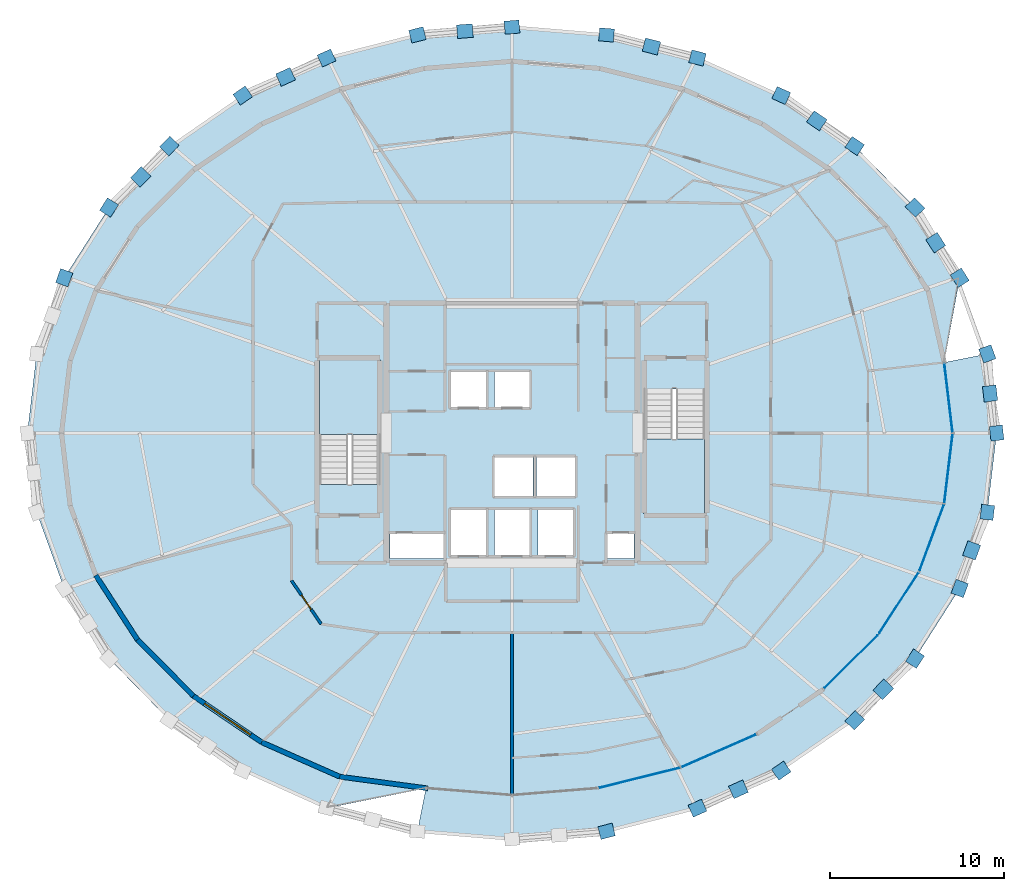
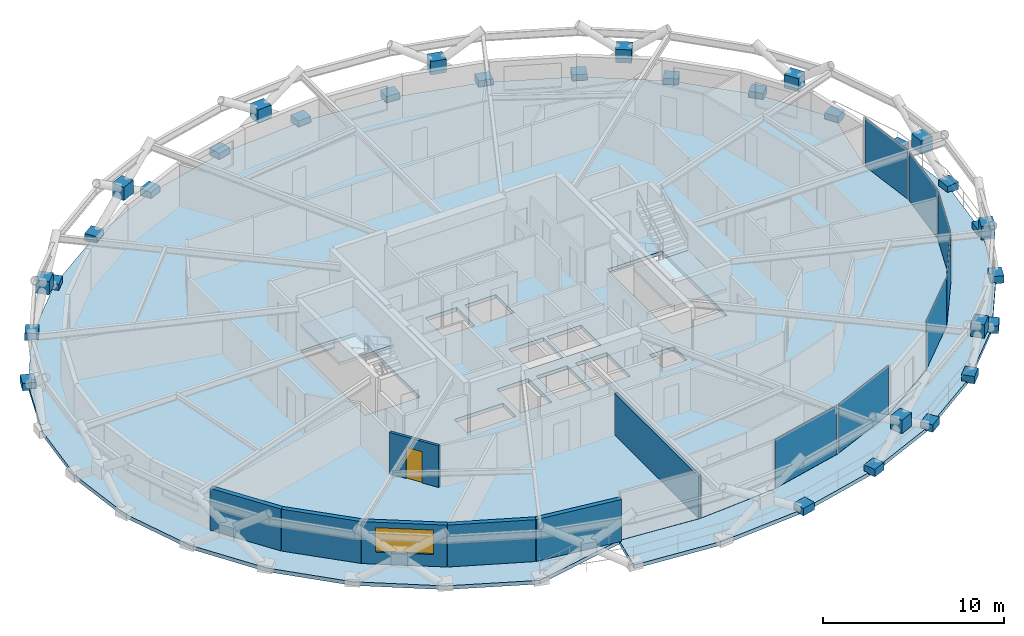
# One storey, part 12 of 17: 39 plates, 7 walls, 4 slabs, 1 door, 1 window, 2 openings, 4 elements without a shape of their own.
"""IFC4 building model written with IfcOpenShell, lengths in metres."""

from ifc_helpers import new_model, si_unit, direction, frame, frame_2d, origin, origin_2d, place, context, subcontext, project, spatial, polyline, rectangle, outline, extrude, material, layer, layer_set, type_object, element, fill, aggregate, save


model = new_model("IFC4")

# Units and contexts
model_context = context("Model", 3, precision=1e-05, world=origin(), true_north=direction((0.0, 1.0)))
body_context = subcontext(model_context, "Body", "Model", "MODEL_VIEW")
ifc_project = project(units=[si_unit("LENGTHUNIT", "METRE"), si_unit("AREAUNIT", "SQUARE_METRE"), si_unit("VOLUMEUNIT", "CUBIC_METRE"), si_unit("PLANEANGLEUNIT", "RADIAN"), si_unit("MASSUNIT", "GRAM", prefix="KILO")], contexts=[model_context])

# Site, building, storey
site_placement = place(None, origin())
site = spatial("IfcSite", under=ifc_project, at=site_placement, CompositionType="ELEMENT")
building_placement = place(site_placement, origin())
building = spatial("IfcBuilding", under=site, at=building_placement, Name="Veldorina Hangang Commons", CompositionType="ELEMENT")
storey_placement = place(building_placement, frame((0.0, 0.0, 178.39990234375)))
storey = spatial("IfcBuildingStorey", under=building, at=storey_placement, Name="L46", CompositionType="ELEMENT", Elevation=178.39990234375)

# Curtain wall, plates
ifc_material_1 = material(Name="Glass Low-E Triple IGU", Category="glass")
ifc_layer_1 = layer(ifc_material_1, 0.179931640625)
ifc_layer_set_1 = layer_set([ifc_layer_1], Name="Glass Low-E Triple IGU")
curtain_wall_type = type_object("IfcCurtainWallType", Name="CW-SYS-Z2", PredefinedType="NOTDEFINED", material=ifc_layer_set_1)
curtain_wall_1_placement = place(storey_placement, origin())
curtain_wall_1 = element("IfcCurtainWall", 1, at=curtain_wall_1_placement, inside=storey, type_object=curtain_wall_type, Name="L46 unitised curtain wall CW-L46-R1", PredefinedType="NOTDEFINED")
ifc_layer_2 = layer(ifc_material_1, 0.0400390625)
ifc_layer_set_2 = layer_set([ifc_layer_2], Name="Glass Low-E Triple IGU")
plate_type_1 = type_object("IfcPlateType", Name="CW-PNL-VIS", PredefinedType="CURTAIN_PANEL", material=ifc_layer_set_2)
plate_1_placement = place(storey_placement, frame((39.302978515625, 4.221923828125, 0.01513671875), z_axis=(0.0, 0.0, 1.0), x_axis=(0.970316834249, 0.241837220403, 0.0)))
plate_1 = element("IfcPlate", 2, at=plate_1_placement, type_object=plate_type_1, Name="CW-L46-R1 facet 3 glazed vision panel", PredefinedType="CURTAIN_PANEL", context=body_context, shape_type="SweptSolid", body=[
    extrude(rectangle(XDim=4.707275390625, YDim=0.0400390625, at=origin_2d()), origin(), (0.0, 0.0, 1.0), 3.280029296875),
])
plate_2_placement = place(storey_placement, frame((43.859375, 5.7724609375, 0.01513671875), z_axis=(0.0, 0.0, 1.0), x_axis=(0.915620496446, 0.402043662414, 0.0)))
plate_2 = element("IfcPlate", 3, at=plate_2_placement, type_object=plate_type_1, Name="CW-L46-R1 facet 4 glazed vision panel", PredefinedType="CURTAIN_PANEL", context=body_context, shape_type="SweptSolid", body=[
    extrude(rectangle(XDim=4.59326171875, YDim=0.0400390625, at=origin_2d()), origin(), (0.0, 0.0, 1.0), 3.280029296875),
])
aggregate(curtain_wall_1, [plate_1, plate_2])

curtain_wall_2_placement = place(storey_placement, origin())
curtain_wall_2 = element("IfcCurtainWall", 4, at=curtain_wall_2_placement, inside=storey, type_object=curtain_wall_type, Name="L46 unitised curtain wall CW-L46-R2", PredefinedType="NOTDEFINED")
plate_3_placement = place(storey_placement, frame((51.447265625, 10.888427734375, 0.01513671875), z_axis=(0.0, 0.0, 1.0), x_axis=(0.70673644403, 0.707476924486, 0.0)))
plate_3 = element("IfcPlate", 5, at=plate_3_placement, type_object=plate_type_1, Name="CW-L46-R2 facet 1 glazed vision panel", PredefinedType="CURTAIN_PANEL", context=body_context, shape_type="SweptSolid", body=[
    extrude(rectangle(XDim=4.268310546875, YDim=0.0400390625, at=origin_2d()), origin(), (0.0, 0.0, 1.0), 3.280029296875),
])
plate_4_placement = place(storey_placement, frame((54.187255859375, 14.257080078125, 0.01513671875), z_axis=(0.0, 0.0, 1.0), x_axis=(0.545356076332, 0.838204479831, 0.0)))
plate_4 = element("IfcPlate", 6, at=plate_4_placement, type_object=plate_type_1, Name="CW-L46-R2 facet 2 glazed vision panel", PredefinedType="CURTAIN_PANEL", context=body_context, shape_type="SweptSolid", body=[
    extrude(rectangle(XDim=4.103515625, YDim=0.0400390625, at=origin_2d()), origin(), (0.0, 0.0, 1.0), 3.280029296875),
])
plate_5_placement = place(storey_placement, frame((56.074462890625, 18.00048828125, 0.01513671875), z_axis=(0.0, 0.0, 1.0), x_axis=(0.346395408811, 0.938088599629, 0.0)))
plate_5 = element("IfcPlate", 7, at=plate_5_placement, type_object=plate_type_1, Name="CW-L46-R2 facet 3 glazed vision panel", PredefinedType="CURTAIN_PANEL", context=body_context, shape_type="SweptSolid", body=[
    extrude(rectangle(XDim=3.972900390625, YDim=0.0400390625, at=origin_2d()), origin(), (0.0, 0.0, 1.0), 3.280029296875),
])
plate_6_placement = place(storey_placement, frame((57.03662109375, 21.97412109375, 0.01513671875), z_axis=(0.0, 0.0, 1.0), x_axis=(0.119027843523, 0.992890916701, 0.0)))
plate_6 = element("IfcPlate", 8, at=plate_6_placement, type_object=plate_type_1, Name="CW-L46-R2 facet 4 glazed vision panel", PredefinedType="CURTAIN_PANEL", context=body_context, shape_type="SweptSolid", body=[
    extrude(rectangle(XDim=3.900634765625, YDim=0.0400390625, at=origin_2d()), origin(), (0.0, 0.0, 1.0), 3.280029296875),
])
plate_7_placement = place(storey_placement, frame((57.03662109375, 26.02587890625, 0.01513671875), z_axis=(0.0, 0.0, 1.0), x_axis=(-0.119027843523, 0.992890916701, 0.0)))
plate_7 = element("IfcPlate", 9, at=plate_7_placement, type_object=plate_type_1, Name="CW-L46-R2 facet 5 glazed vision panel", PredefinedType="CURTAIN_PANEL", context=body_context, shape_type="SweptSolid", body=[
    extrude(rectangle(XDim=3.900634765625, YDim=0.0400390625, at=origin_2d()), origin(), (0.0, 0.0, 1.0), 3.280029296875),
])
aggregate(curtain_wall_2, [plate_3, plate_4, plate_5, plate_6, plate_7])

# Plates
ifc_material_2 = material(Name="Steel SM460-TMC", Category="steel")
ifc_layer_3 = layer(ifc_material_2, 0.035888671875)
ifc_layer_set_3 = layer_set([ifc_layer_3], Name="Steel SM460-TMC")
plate_type_2 = type_object("IfcPlateType", Name="PL-STAR-36", PredefinedType="USERDEFINED", material=ifc_layer_set_3)
plate_8_placement = place(storey_placement, frame((59.799560546875, 24.0, -0.08984375), z_axis=(0.0, 0.0, 1.0), x_axis=(-0.116774741047, 0.993158426362, 0.0)))
element("IfcPlate", 10, at=plate_8_placement, inside=storey, type_object=plate_type_2, Name="L46 diagrid star-node gusset plate 00", ObjectType="GUSSET PLATE", PredefinedType="USERDEFINED", context=body_context, shape_type="SweptSolid", body=[
    extrude(rectangle(XDim=0.85009765625, YDim=0.75, at=origin_2d()), origin(), (0.0, 0.0, 1.0), 0.5),
])
plate_9_placement = place(storey_placement, frame((59.4228515625, 26.27099609375, 1.3505859375), z_axis=(0.0, 0.0, 1.0), x_axis=(-0.116774741047, 0.993158426362, 0.0)))
element("IfcPlate", 11, at=plate_9_placement, inside=storey, type_object=plate_type_2, Name="L46 diagrid X-crossing star-node gusset plate 00", ObjectType="GUSSET PLATE", PredefinedType="USERDEFINED", context=body_context, shape_type="SweptSolid", body=[
    extrude(rectangle(XDim=0.89990234375, YDim=0.780029296875, at=origin_2d()), origin(), (0.0, 0.0, 1.0), 0.89990234375),
])
for number, where, z_axis, x_axis, name in (
    (12, (59.265380859375, 28.543212890625, -0.08984375), (0.0, 0.0, 1.0), (-0.340461604536, 0.940258419711, 0.0), "L46 diagrid star-node gusset plate 01"),
    (13, (57.683349609375, 32.911865234375, -0.08984375), (0.0, 0.0, 1.0), (-0.537902988992, 0.843006746375, 0.0), "L46 diagrid star-node gusset plate 02"),
):
    element("IfcPlate", number, at=place(storey_placement, frame(where, z_axis=z_axis, x_axis=x_axis)), inside=storey, type_object=plate_type_2, Name=name, ObjectType="GUSSET PLATE", PredefinedType="USERDEFINED", context=body_context, shape_type="SweptSolid", body=[
        extrude(rectangle(XDim=0.85009765625, YDim=0.75, at=origin_2d()), origin(), (0.0, 0.0, 1.0), 0.5),
    ])
plate_10_placement = place(storey_placement, frame((56.30419921875, 34.92431640625, 1.3525390625), z_axis=(0.0, 0.0, 1.0), x_axis=(-0.537902988992, 0.843006746375, 0.0)))
element("IfcPlate", 14, at=plate_10_placement, inside=storey, type_object=plate_type_2, Name="L46 diagrid X-crossing star-node gusset plate 02", ObjectType="GUSSET PLATE", PredefinedType="USERDEFINED", context=body_context, shape_type="SweptSolid", body=[
    extrude(rectangle(XDim=0.89990234375, YDim=0.780029296875, at=origin_2d()), origin(), (0.0, 0.0, 1.0), 0.89990234375),
])
for number, where, z_axis, x_axis, name in (
    (15, (55.114501953125, 36.93798828125, -0.08984375), (0.0, 0.0, 1.0), (-0.699812963975, 0.714326126816, 0.0), "L46 diagrid star-node gusset plate 03"),
    (16, (51.6572265625, 40.467041015625, -0.08984375), (0.0, 0.0, 1.0), (-0.824037207571, 0.566535683376, 0.0), "L46 diagrid star-node gusset plate 04"),
):
    element("IfcPlate", number, at=place(storey_placement, frame(where, z_axis=z_axis, x_axis=x_axis)), inside=storey, type_object=plate_type_2, Name=name, ObjectType="GUSSET PLATE", PredefinedType="USERDEFINED", context=body_context, shape_type="SweptSolid", body=[
        extrude(rectangle(XDim=0.85009765625, YDim=0.75, at=origin_2d()), origin(), (0.0, 0.0, 1.0), 0.5),
    ])
plate_11_placement = place(storey_placement, frame((49.482666015625, 41.9140625, 1.355224609375), z_axis=(0.0, 0.0, 1.0), x_axis=(-0.824037207571, 0.566535683376, 0.0)))
element("IfcPlate", 17, at=plate_11_placement, inside=storey, type_object=plate_type_2, Name="L46 diagrid X-crossing star-node gusset plate 04", ObjectType="GUSSET PLATE", PredefinedType="USERDEFINED", context=body_context, shape_type="SweptSolid", body=[
    extrude(rectangle(XDim=0.89990234375, YDim=0.780029296875, at=origin_2d()), origin(), (0.0, 0.0, 1.0), 0.89990234375),
])
for number, where, z_axis, x_axis, name in (
    (18, (47.444580078125, 43.36328125, -0.08984375), (0.0, 0.0, 1.0), (-0.912684454993, 0.408665004147, 0.0), "L46 diagrid star-node gusset plate 05"),
    (19, (42.638427734375, 45.51513671875, -0.08984375), (0.0, 0.0, 1.0), (-0.969196530776, 0.246288620794, 0.0), "L46 diagrid star-node gusset plate 06"),
):
    element("IfcPlate", number, at=place(storey_placement, frame(where, z_axis=z_axis, x_axis=x_axis)), inside=storey, type_object=plate_type_2, Name=name, ObjectType="GUSSET PLATE", PredefinedType="USERDEFINED", context=body_context, shape_type="SweptSolid", body=[
        extrude(rectangle(XDim=0.85009765625, YDim=0.75, at=origin_2d()), origin(), (0.0, 0.0, 1.0), 0.5),
    ])
plate_12_placement = place(storey_placement, frame((39.9990234375, 46.17431640625, 1.35693359375), z_axis=(0.0, 0.0, 1.0), x_axis=(-0.969196530776, 0.246288620794, 0.0)))
element("IfcPlate", 20, at=plate_12_placement, inside=storey, type_object=plate_type_2, Name="L46 diagrid X-crossing star-node gusset plate 06", ObjectType="GUSSET PLATE", PredefinedType="USERDEFINED", context=body_context, shape_type="SweptSolid", body=[
    extrude(rectangle(XDim=0.89990234375, YDim=0.780029296875, at=origin_2d()), origin(), (0.0, 0.0, 1.0), 0.89990234375),
])
for number, where, z_axis, x_axis, name in (
    (21, (37.42333984375, 46.84033203125, -0.08984375), (0.0, 0.0, 1.0), (-0.996613031304, 0.082234213284, 0.0), "L46 diagrid star-node gusset plate 07"),
    (22, (32.0, 47.287841796875, -0.08984375), (0.0, 0.0, 1.0), (-0.996613031304, -0.082234213284, 0.0), "L46 diagrid star-node gusset plate 08"),
):
    element("IfcPlate", number, at=place(storey_placement, frame(where, z_axis=z_axis, x_axis=x_axis)), inside=storey, type_object=plate_type_2, Name=name, ObjectType="GUSSET PLATE", PredefinedType="USERDEFINED", context=body_context, shape_type="SweptSolid", body=[
        extrude(rectangle(XDim=0.85009765625, YDim=0.75, at=origin_2d()), origin(), (0.0, 0.0, 1.0), 0.5),
    ])
plate_13_placement = place(storey_placement, frame((29.29931640625, 47.057373046875, 1.357421875), z_axis=(0.0, 0.0, 1.0), x_axis=(-0.996613031304, -0.082234213284, 0.0)))
element("IfcPlate", 23, at=plate_13_placement, inside=storey, type_object=plate_type_2, Name="L46 diagrid X-crossing star-node gusset plate 08", ObjectType="GUSSET PLATE", PredefinedType="USERDEFINED", context=body_context, shape_type="SweptSolid", body=[
    extrude(rectangle(XDim=0.89990234375, YDim=0.780029296875, at=origin_2d()), origin(), (0.0, 0.0, 1.0), 0.89990234375),
])
for number, where, z_axis, x_axis, name in (
    (24, (26.57666015625, 46.84033203125, -0.08984375), (0.0, 0.0, 1.0), (-0.969196530776, -0.246288620794, 0.0), "L46 diagrid star-node gusset plate 09"),
    (25, (21.361572265625, 45.51513671875, -0.08984375), (0.0, 0.0, 1.0), (-0.912684454993, -0.408665004147, 0.0), "L46 diagrid star-node gusset plate 10"),
):
    element("IfcPlate", number, at=place(storey_placement, frame(where, z_axis=z_axis, x_axis=x_axis)), inside=storey, type_object=plate_type_2, Name=name, ObjectType="GUSSET PLATE", PredefinedType="USERDEFINED", context=body_context, shape_type="SweptSolid", body=[
        extrude(rectangle(XDim=0.85009765625, YDim=0.75, at=origin_2d()), origin(), (0.0, 0.0, 1.0), 0.5),
    ])
plate_14_placement = place(storey_placement, frame((19.0126953125, 44.430419921875, 1.356201171875), z_axis=(0.0, 0.0, 1.0), x_axis=(-0.912684454993, -0.408665004147, 0.0)))
element("IfcPlate", 26, at=plate_14_placement, inside=storey, type_object=plate_type_2, Name="L46 diagrid X-crossing star-node gusset plate 10", ObjectType="GUSSET PLATE", PredefinedType="USERDEFINED", context=body_context, shape_type="SweptSolid", body=[
    extrude(rectangle(XDim=0.89990234375, YDim=0.780029296875, at=origin_2d()), origin(), (0.0, 0.0, 1.0), 0.89990234375),
])
for number, where, z_axis, x_axis, name in (
    (27, (16.555419921875, 43.36328125, -0.08984375), (0.0, 0.0, 1.0), (-0.824037207571, -0.566535683376, 0.0), "L46 diagrid star-node gusset plate 11"),
    (28, (12.3427734375, 40.467041015625, -0.08984375), (0.0, 0.0, 1.0), (-0.699812963975, -0.714326126816, 0.0), "L46 diagrid star-node gusset plate 12"),
):
    element("IfcPlate", number, at=place(storey_placement, frame(where, z_axis=z_axis, x_axis=x_axis)), inside=storey, type_object=plate_type_2, Name=name, ObjectType="GUSSET PLATE", PredefinedType="USERDEFINED", context=body_context, shape_type="SweptSolid", body=[
        extrude(rectangle(XDim=0.85009765625, YDim=0.75, at=origin_2d()), origin(), (0.0, 0.0, 1.0), 0.5),
    ])
plate_15_placement = place(storey_placement, frame((10.70361328125, 38.695556640625, 1.35400390625), z_axis=(0.0, 0.0, 1.0), x_axis=(-0.699812963975, -0.714326126816, 0.0)))
element("IfcPlate", 29, at=plate_15_placement, inside=storey, type_object=plate_type_2, Name="L46 diagrid X-crossing star-node gusset plate 12", ObjectType="GUSSET PLATE", PredefinedType="USERDEFINED", context=body_context, shape_type="SweptSolid", body=[
    extrude(rectangle(XDim=0.89990234375, YDim=0.780029296875, at=origin_2d()), origin(), (0.0, 0.0, 1.0), 0.89990234375),
])
for number, where, z_axis, x_axis, name in (
    (30, (8.885498046875, 36.93798828125, -0.08984375), (0.0, 0.0, 1.0), (-0.537902988992, -0.843006746375, 0.0), "L46 diagrid star-node gusset plate 13"),
    (31, (6.316650390625, 32.911865234375, -0.08984375), (0.0, 0.0, 1.0), (-0.340461604536, -0.940258419711, 0.0), "L46 diagrid star-node gusset plate 14"),
    (32, (37.42333984375, 1.15966796875, -0.08984375), (0.0, 0.0, 1.0), (0.969196530776, 0.246288620794, 0.0), "L46 diagrid star-node gusset plate 25"),
    (33, (42.638427734375, 2.48486328125, -0.08984375), (0.0, 0.0, 1.0), (0.912684454993, 0.408665004147, 0.0), "L46 diagrid star-node gusset plate 26"),
):
    element("IfcPlate", number, at=place(storey_placement, frame(where, z_axis=z_axis, x_axis=x_axis)), inside=storey, type_object=plate_type_2, Name=name, ObjectType="GUSSET PLATE", PredefinedType="USERDEFINED", context=body_context, shape_type="SweptSolid", body=[
        extrude(rectangle(XDim=0.85009765625, YDim=0.75, at=origin_2d()), origin(), (0.0, 0.0, 1.0), 0.5),
    ])
plate_16_placement = place(storey_placement, frame((44.9873046875, 3.569580078125, 1.356201171875), z_axis=(0.0, 0.0, 1.0), x_axis=(0.912684454993, 0.408665004147, 0.0)))
element("IfcPlate", 34, at=plate_16_placement, inside=storey, type_object=plate_type_2, Name="L46 diagrid X-crossing star-node gusset plate 26", ObjectType="GUSSET PLATE", PredefinedType="USERDEFINED", context=body_context, shape_type="SweptSolid", body=[
    extrude(rectangle(XDim=0.89990234375, YDim=0.780029296875, at=origin_2d()), origin(), (0.0, 0.0, 1.0), 0.89990234375),
])
for number, where, z_axis, x_axis, name in (
    (35, (47.444580078125, 4.63671875, -0.08984375), (0.0, 0.0, 1.0), (0.824037207571, 0.566535683376, 0.0), "L46 diagrid star-node gusset plate 27"),
    (36, (51.6572265625, 7.532958984375, -0.08984375), (0.0, 0.0, 1.0), (0.699812963975, 0.714326126816, 0.0), "L46 diagrid star-node gusset plate 28"),
):
    element("IfcPlate", number, at=place(storey_placement, frame(where, z_axis=z_axis, x_axis=x_axis)), inside=storey, type_object=plate_type_2, Name=name, ObjectType="GUSSET PLATE", PredefinedType="USERDEFINED", context=body_context, shape_type="SweptSolid", body=[
        extrude(rectangle(XDim=0.85009765625, YDim=0.75, at=origin_2d()), origin(), (0.0, 0.0, 1.0), 0.5),
    ])
plate_17_placement = place(storey_placement, frame((53.29638671875, 9.304443359375, 1.35400390625), z_axis=(0.0, 0.0, 1.0), x_axis=(0.699812963975, 0.714326126816, 0.0)))
element("IfcPlate", 37, at=plate_17_placement, inside=storey, type_object=plate_type_2, Name="L46 diagrid X-crossing star-node gusset plate 28", ObjectType="GUSSET PLATE", PredefinedType="USERDEFINED", context=body_context, shape_type="SweptSolid", body=[
    extrude(rectangle(XDim=0.89990234375, YDim=0.780029296875, at=origin_2d()), origin(), (0.0, 0.0, 1.0), 0.89990234375),
])
for number, where, z_axis, x_axis, name in (
    (38, (55.114501953125, 11.06201171875, -0.08984375), (0.0, 0.0, 1.0), (0.537902988992, 0.843006746375, 0.0), "L46 diagrid star-node gusset plate 29"),
    (39, (57.683349609375, 15.088134765625, -0.08984375), (0.0, 0.0, 1.0), (0.340461604536, 0.940258419711, 0.0), "L46 diagrid star-node gusset plate 30"),
):
    element("IfcPlate", number, at=place(storey_placement, frame(where, z_axis=z_axis, x_axis=x_axis)), inside=storey, type_object=plate_type_2, Name=name, ObjectType="GUSSET PLATE", PredefinedType="USERDEFINED", context=body_context, shape_type="SweptSolid", body=[
        extrude(rectangle(XDim=0.85009765625, YDim=0.75, at=origin_2d()), origin(), (0.0, 0.0, 1.0), 0.5),
    ])
plate_18_placement = place(storey_placement, frame((58.365234375, 17.275146484375, 1.3515625), z_axis=(0.0, 0.0, 1.0), x_axis=(0.340461604536, 0.940258419711, 0.0)))
element("IfcPlate", 40, at=plate_18_placement, inside=storey, type_object=plate_type_2, Name="L46 diagrid X-crossing star-node gusset plate 30", ObjectType="GUSSET PLATE", PredefinedType="USERDEFINED", context=body_context, shape_type="SweptSolid", body=[
    extrude(rectangle(XDim=0.89990234375, YDim=0.780029296875, at=origin_2d()), origin(), (0.0, 0.0, 1.0), 0.89990234375),
])
plate_19_placement = place(storey_placement, frame((59.265380859375, 19.456787109375, -0.08984375), z_axis=(0.0, 0.0, 1.0), x_axis=(0.116774741047, 0.993158426362, 0.0)))
element("IfcPlate", 41, at=plate_19_placement, inside=storey, type_object=plate_type_2, Name="L46 diagrid star-node gusset plate 31", ObjectType="GUSSET PLATE", PredefinedType="USERDEFINED", context=body_context, shape_type="SweptSolid", body=[
    extrude(rectangle(XDim=0.85009765625, YDim=0.75, at=origin_2d()), origin(), (0.0, 0.0, 1.0), 0.5),
])

# Slabs
ifc_material_3 = material(Name="Concrete C40/50", Category="concrete")
ifc_layer_4 = layer(ifc_material_3, 0.25)
ifc_layer_set_4 = layer_set([ifc_layer_4], Name="Concrete C40/50")
slab_type_1 = type_object("IfcSlabType", Name="SL-FLR-250", PredefinedType="FLOOR", material=ifc_layer_set_4)
slab_1_placement = place(storey_placement, frame((0.0, 0.0, -0.25)))
element("IfcSlab", 42, at=slab_1_placement, inside=storey, type_object=slab_type_1, Name="L46 tower structural floor slab", PredefinedType="FLOOR", context=body_context, shape_type="SweptSolid", body=[
    extrude(outline(polyline([(57.279541015625, 24.0), (56.793701171875, 28.051513671875), (57.683349609375, 32.911865234375), (55.114501953125, 36.93798828125), (51.6572265625, 40.467041015625), (47.444580078125, 43.36328125), (42.638427734375, 45.51513671875), (37.42333984375, 46.84033203125), (32.0, 47.287841796875), (26.57666015625, 46.84033203125), (21.361572265625, 45.51513671875), (16.555419921875, 43.36328125), (12.3427734375, 40.467041015625), (8.885498046875, 36.93798828125), (6.316650390625, 32.911865234375), (4.734619140625, 28.543212890625), (4.200439453125, 24.0), (4.734619140625, 19.456787109375), (6.316650390625, 15.088134765625), (8.885498046875, 11.06201171875), (12.3427734375, 7.532958984375), (16.555419921875, 4.63671875), (21.361572265625, 2.48486328125), (27.068115234375, 3.631103515625), (32.0, 3.232177734375), (36.931884765625, 3.631103515625), (41.674072265625, 4.81298828125), (46.04443359375, 6.732177734375), (49.875244140625, 9.31494140625), (53.01904296875, 12.4619140625), (55.355224609375, 16.052490234375), (56.793701171875, 19.948486328125), (57.279541015625, 24.0)]), holes=[polyline([(20.949951171875, 21.05810546875), (20.949951171875, 28.199951171875), (24.449951171875, 28.199951171875), (24.449951171875, 21.05810546875), (20.949951171875, 21.05810546875)]), polyline([(43.050048828125, 26.5419921875), (43.050048828125, 19.39990234375), (39.550048828125, 19.39990234375), (39.550048828125, 26.5419921875), (43.050048828125, 26.5419921875)]), polyline([(28.5, 27.5), (30.5, 27.5), (30.5, 25.5), (28.5, 25.5), (28.5, 27.5)]), polyline([(31.0, 27.5), (33.0, 27.5), (33.0, 25.5), (31.0, 25.5), (31.0, 27.5)]), polyline([(31.0, 22.60009765625), (33.199951171875, 22.60009765625), (33.199951171875, 20.39990234375), (31.0, 20.39990234375), (31.0, 22.60009765625)]), polyline([(33.39990234375, 22.60009765625), (35.60009765625, 22.60009765625), (35.60009765625, 20.39990234375), (33.39990234375, 20.39990234375), (33.39990234375, 22.60009765625)]), polyline([(28.5, 19.60009765625), (30.5, 19.60009765625), (30.5, 17.0), (28.5, 17.0), (28.5, 19.60009765625)]), polyline([(31.0, 19.60009765625), (33.0, 19.60009765625), (33.0, 17.0), (31.0, 17.0), (31.0, 19.60009765625)]), polyline([(33.5, 19.60009765625), (35.5, 19.60009765625), (35.5, 17.0), (33.5, 17.0), (33.5, 19.60009765625)]), polyline([(25.0, 18.25), (28.10009765625, 18.25), (28.10009765625, 16.800048828125), (25.0, 16.800048828125), (25.0, 18.25)]), polyline([(37.449951171875, 18.25), (39.0, 18.25), (39.0, 16.800048828125), (37.449951171875, 16.800048828125), (37.449951171875, 18.25)])]), origin(), (0.0, 0.0, 1.0), 0.25),
])
slab_2_placement = place(storey_placement, frame((0.0, 0.0, -0.25)))
element("IfcSlab", 43, at=slab_2_placement, inside=storey, type_object=slab_type_1, Name="L46 sky-garden loggia outdoor slab", PredefinedType="FLOOR", context=body_context, shape_type="SweptSolid", body=[
    extrude(outline(polyline([(59.265380859375, 28.543212890625), (59.799560546875, 24.0), (59.265380859375, 19.456787109375), (57.683349609375, 15.088134765625), (55.114501953125, 11.06201171875), (51.6572265625, 7.532958984375), (47.444580078125, 4.63671875), (42.638427734375, 2.48486328125), (37.42333984375, 1.15966796875), (32.0, 0.712158203125), (26.57666015625, 1.15966796875), (27.06494140625, 3.615234375), (27.069091796875, 3.615966796875), (31.998779296875, 3.217041015625), (32.0, 3.217041015625), (32.001220703125, 3.217041015625), (36.93310546875, 3.6162109375), (36.93408203125, 3.6162109375), (36.935302734375, 3.616455078125), (41.677490234375, 4.79833984375), (41.6787109375, 4.798828125), (41.679931640625, 4.79931640625), (46.050537109375, 6.718505859375), (46.0517578125, 6.718994140625), (46.052978515625, 6.7197265625), (49.8837890625, 9.302490234375), (49.884765625, 9.30322265625), (49.885986328125, 9.30419921875), (53.02978515625, 12.451416015625), (53.03076171875, 12.45263671875), (53.03173828125, 12.453857421875), (55.367919921875, 16.044189453125), (55.36865234375, 16.0458984375), (55.369384765625, 16.04736328125), (56.807861328125, 19.943115234375), (56.808349609375, 19.94482421875), (56.80859375, 19.946533203125), (57.29443359375, 23.998291015625), (57.29443359375, 24.0), (57.29443359375, 24.001708984375), (56.80908203125, 28.051025390625), (56.8095703125, 28.0546875), (59.265380859375, 28.543212890625)])), origin(), (0.0, 0.0, 1.0), 0.25),
])

# Stair, slab
stair_type = type_object("IfcStairType", Name="STR-DOG-1650-20R", PredefinedType="HALF_TURN_STAIR", material=ifc_material_3)
stair_1_placement = place(storey_placement, origin())
stair_1 = element("IfcStair", 44, at=stair_1_placement, inside=storey, type_object=stair_type, Name="L46 Exit stair ST-1", PredefinedType="HALF_TURN_STAIR")
ifc_layer_5 = layer(ifc_material_3, 0.199951171875)
ifc_layer_set_5 = layer_set([ifc_layer_5], Name="Concrete C40/50")
slab_type_2 = type_object("IfcSlabType", Name="SL-LND-200", PredefinedType="LANDING", material=ifc_layer_set_5)
slab_3_placement = place(storey_placement, frame((0.0, 0.0, 1.60009765625)))
slab_3 = element("IfcSlab", 45, at=slab_3_placement, type_object=slab_type_2, Name="ST-1 landing 1", PredefinedType="LANDING", context=body_context, shape_type="SweptSolid", body=[
    extrude(outline(polyline([(24.449951171875, 23.929931640625), (24.449951171875, 28.199951171875), (20.949951171875, 28.199951171875), (20.949951171875, 23.929931640625), (24.449951171875, 23.929931640625)])), origin(), (0.0, 0.0, 1.0), 0.199951171875),
])
aggregate(stair_1, [slab_3])

stair_2_placement = place(storey_placement, origin())
stair_2 = element("IfcStair", 46, at=stair_2_placement, inside=storey, type_object=stair_type, Name="L46 Exit stair ST-2", PredefinedType="HALF_TURN_STAIR")
slab_4_placement = place(storey_placement, frame((0.0, 0.0, 1.60009765625)))
slab_4 = element("IfcSlab", 47, at=slab_4_placement, type_object=slab_type_2, Name="ST-2 landing 1", PredefinedType="LANDING", context=body_context, shape_type="SweptSolid", body=[
    extrude(outline(polyline([(39.550048828125, 23.669921875), (39.550048828125, 19.39990234375), (43.050048828125, 19.39990234375), (43.050048828125, 23.669921875), (39.550048828125, 23.669921875)])), origin(), (0.0, 0.0, 1.0), 0.199951171875),
])
aggregate(stair_2, [slab_4])

# Walls
ifc_material_4 = material(Name="Stone Roman Travertine", Category="masonry")
ifc_layer_6 = layer(ifc_material_4, 0.280029296875)
ifc_layer_set_6 = layer_set([ifc_layer_6], Name="Stone Roman Travertine")
wall_type_1 = type_object("IfcWallType", Name="EW-TRAV-280", PredefinedType="STANDARD", material=ifc_layer_set_6)
wall_1_placement = place(storey_placement, frame((8.12744140625, 15.838134765625, 0.0), z_axis=(0.0, 0.0, 1.0), x_axis=(0.543543905956, -0.839380737388, 0.0)))
element("IfcWall", 48, at=wall_1_placement, inside=storey, type_object=wall_type_1, Name="L46 travertine facade wall 18", PredefinedType="STANDARD", context=body_context, shape_type="SweptSolid", body=[
    extrude(rectangle(XDim=4.392822265625, YDim=0.280029296875, at=frame_2d((2.1962890625, 0.0))), origin(), (0.0, 0.0, 1.0), 2.820068359375),
])
wall_2_placement = place(storey_placement, frame((10.51513671875, 12.15087890625, 0.0), z_axis=(0.0, 0.0, 1.0), x_axis=(0.705095186085, -0.709112669862, 0.0)))
element("IfcWall", 49, at=wall_2_placement, inside=storey, type_object=wall_type_1, Name="L46 travertine facade wall 19", PredefinedType="STANDARD", context=body_context, shape_type="SweptSolid", body=[
    extrude(rectangle(XDim=4.5576171875, YDim=0.280029296875, at=frame_2d((2.27880859375, 0.0))), origin(), (0.0, 0.0, 1.0), 2.820068359375),
])

# Wall, opening, window
wall_3_placement = place(storey_placement, frame((13.728759765625, 8.9189453125, 0.0), z_axis=(0.0, 0.0, 1.0), x_axis=(0.827929515697, -0.560832164767, 0.0)))
wall_3 = element("IfcWall", 50, at=wall_3_placement, inside=storey, type_object=wall_type_1, Name="L46 travertine facade wall 20", PredefinedType="STANDARD", context=body_context, shape_type="SweptSolid", body=[
    extrude(rectangle(XDim=4.729248046875, YDim=0.280029296875, at=frame_2d((2.36474609375, 0.0))), origin(), (0.0, 0.0, 1.0), 2.820068359375),
])
opening_1_placement = place(wall_3_placement, frame((0.7646484375, 0.0, 0.800048828125)))
opening_1 = element("IfcOpeningElement", 51, at=opening_1_placement, cuts=wall_3, Name="Opening W-01", PredefinedType="OPENING", context=body_context, shape_type="SweptSolid", body=[
    extrude(rectangle(XDim=3.199951171875, YDim=1.64990234375, at=frame_2d((1.60009765625, 0.824951171875))), frame((0.0, 0.14990234375, 0.0), z_axis=(0.0, -1.0, 0.0), x_axis=(1.0, 0.0, 0.0)), (0.0, 0.0, 1.0), 0.300048828125),
])
window_type = type_object("IfcWindowType", Name="WIN-TWR-3200", PartitioningType="SINGLE_PANEL", PredefinedType="WINDOW", material=ifc_material_1)
window_placement = place(opening_1_placement, origin())
window = element("IfcWindow", 52, at=window_placement, inside=storey, type_object=window_type, Name="L46 facade window 20", OverallHeight=1.64990234375, OverallWidth=3.199951171875, PartitioningType="SINGLE_PANEL", PredefinedType="WINDOW", context=body_context, shape_type="SweptSolid", body=[
    extrude(rectangle(XDim=3.199951171875, YDim=1.64990234375, at=frame_2d((1.60009765625, 0.824951171875))), frame((0.0, 0.030029296875, 0.0), z_axis=(0.0, -1.0, 0.0), x_axis=(1.0, 0.0, 0.0)), (0.0, 0.0, 1.0), 0.06005859375),
])
fill(opening_1, window)

# Walls
wall_4_placement = place(storey_placement, frame((17.644287109375, 6.2666015625, 0.0), z_axis=(0.0, 0.0, 1.0), x_axis=(0.914919430765, -0.40363651372, 0.0)))
element("IfcWall", 53, at=wall_4_placement, inside=storey, type_object=wall_type_1, Name="L46 travertine facade wall 21", PredefinedType="STANDARD", context=body_context, shape_type="SweptSolid", body=[
    extrude(rectangle(XDim=4.883056640625, YDim=0.280029296875, at=frame_2d((2.44140625, 0.0))), origin(), (0.0, 0.0, 1.0), 2.820068359375),
])
wall_5_placement = place(storey_placement, frame((22.11181640625, 4.295654296875, 0.0), z_axis=(0.0, 0.0, 1.0), x_axis=(0.99113134162, -0.132885904666, 0.0)))
element("IfcWall", 54, at=wall_5_placement, inside=storey, type_object=wall_type_1, Name="L46 travertine facade wall 22", PredefinedType="STANDARD", context=body_context, shape_type="SweptSolid", body=[
    extrude(rectangle(XDim=5.0927734375, YDim=0.280029296875, at=frame_2d((2.54638671875, 0.0))), origin(), (0.0, 0.0, 1.0), 2.820068359375),
])

# Wall, opening, door
ifc_material_5 = material(Name="Gypsum Fire-Rated Twin Stud Wall", Category="gypsum")
ifc_layer_7 = layer(ifc_material_5, 0.159912109375)
ifc_layer_set_7 = layer_set([ifc_layer_7], Name="Gypsum Fire-Rated Twin Stud Wall")
wall_type_2 = type_object("IfcWallType", Name="WL-FIRE-160", PredefinedType="SOLIDWALL", material=ifc_layer_set_7)
wall_6_placement = place(storey_placement, frame((19.35009765625, 15.547607421875, 0.0), z_axis=(0.0, 0.0, 1.0), x_axis=(0.562674669208, -0.826678423955, 0.0)))
wall_6 = element("IfcWall", 55, at=wall_6_placement, inside=storey, type_object=wall_type_2, Name="L46 U-corridor outer wall 19 065", PredefinedType="SOLIDWALL", context=body_context, shape_type="SweptSolid", body=[
    extrude(rectangle(XDim=3.021240234375, YDim=0.159912109375, at=frame_2d((1.5107421875, 0.0))), origin(), (0.0, 0.0, 1.0), 2.800048828125),
])
opening_2_placement = place(wall_6_placement, frame((1.010498046875, 0.0, 0.0)))
opening_2 = element("IfcOpeningElement", 56, at=opening_2_placement, cuts=wall_6, Name="Opening D-05", PredefinedType="OPENING", context=body_context, shape_type="SweptSolid", body=[
    extrude(rectangle(XDim=1.0, YDim=2.10009765625, at=frame_2d((0.5, 1.050048828125))), frame((0.0, 0.08984375, 0.0), z_axis=(0.0, -1.0, 0.0), x_axis=(1.0, 0.0, 0.0)), (0.0, 0.0, 1.0), 0.179931640625),
])
ifc_material_6 = material(Name="Timber Solid Core Acoustic", Category="wood")
door_type = type_object("IfcDoorType", Name="DR-INT-1000", OperationType="SINGLE_SWING_RIGHT", PredefinedType="DOOR", material=ifc_material_6)
door_placement = place(opening_2_placement, origin())
door = element("IfcDoor", 57, at=door_placement, inside=storey, type_object=door_type, Name="L46 Seminar Focus Room 6 door 034", OperationType="SINGLE_SWING_RIGHT", OverallHeight=2.10009765625, OverallWidth=1.0, PredefinedType="DOOR", context=body_context, shape_type="SweptSolid", body=[
    extrude(rectangle(XDim=1.0, YDim=2.10009765625, at=frame_2d((0.5, 1.050048828125))), frame((0.0, 0.02490234375, 0.0), z_axis=(0.0, -1.0, 0.0), x_axis=(1.0, 0.0, 0.0)), (0.0, 0.0, 1.0), 0.050048828125),
])
fill(opening_2, door)

# Wall
wall_7_placement = place(storey_placement, frame((32.0, 12.550048828125, 0.0), z_axis=(0.0, 0.0, 1.0), x_axis=(0.0, -1.0, 0.0)))
element("IfcWall", 58, at=wall_7_placement, inside=storey, type_object=wall_type_2, Name="L46 Unit party wall 24 104", PredefinedType="SOLIDWALL", context=body_context, shape_type="SweptSolid", body=[
    extrude(rectangle(XDim=9.26806640625, YDim=0.159912109375, at=frame_2d((4.634033203125, 0.0))), origin(), (0.0, 0.0, 1.0), 2.800048828125),
])

save(model, "model.ifc")
